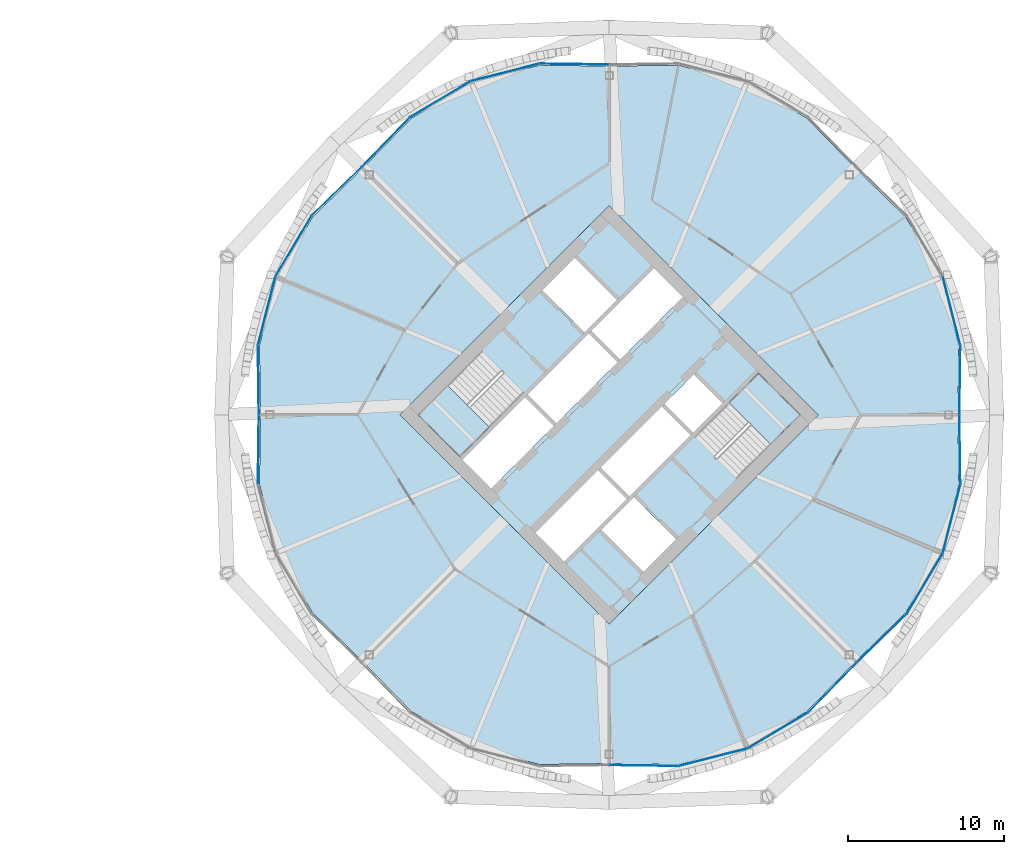
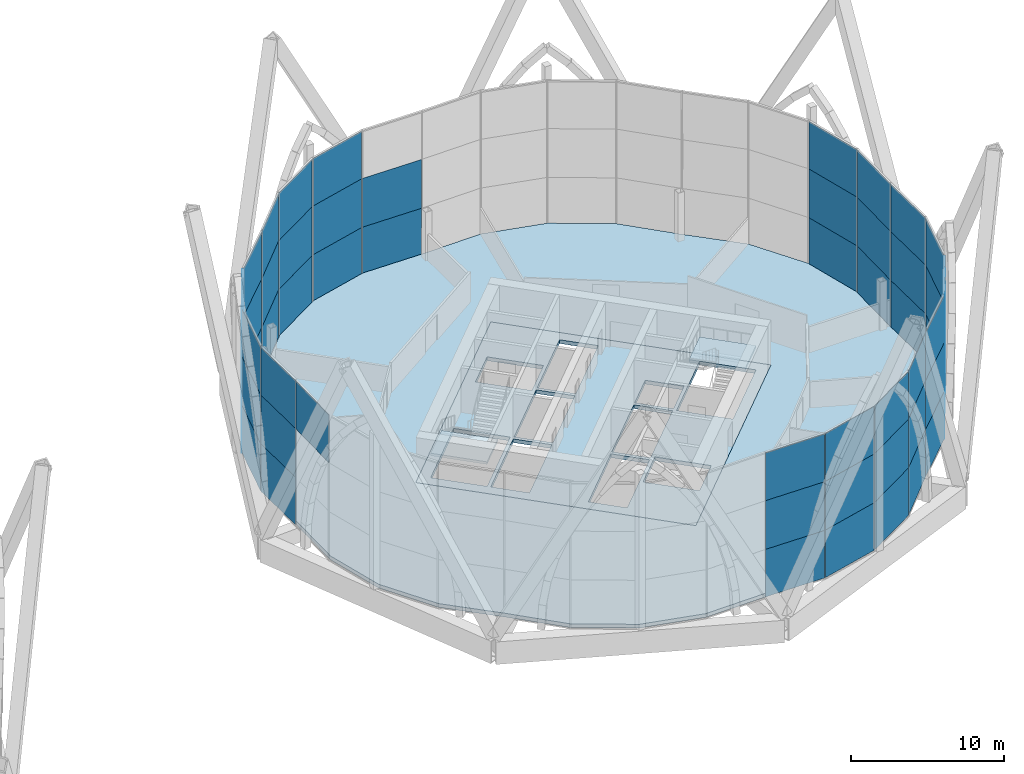
# One storey, part 26 of 37: 54 plates, 4 slabs, 8 elements without a shape of their own.
"""IFC4 building model written with IfcOpenShell, lengths in metres."""

from ifc_helpers import new_model, si_unit, direction, frame, origin, origin_2d, place, context, subcontext, project, spatial, polyline, rectangle, outline, extrude, material, layer, layer_set, type_object, element, aggregate, save


model = new_model("IFC4")

# Units and contexts
model_context = context("Model", 3, precision=1e-05, world=origin(), true_north=direction((0.0, 1.0)))
body_context = subcontext(model_context, "Body", "Model", "MODEL_VIEW")
ifc_project = project(units=[si_unit("LENGTHUNIT", "METRE"), si_unit("AREAUNIT", "SQUARE_METRE"), si_unit("VOLUMEUNIT", "CUBIC_METRE"), si_unit("PLANEANGLEUNIT", "RADIAN"), si_unit("MASSUNIT", "GRAM", prefix="KILO")], contexts=[model_context])

# Site, building, storey
site_placement = place(None, origin())
site = spatial("IfcSite", under=ifc_project, at=site_placement, CompositionType="ELEMENT")
building_placement = place(site_placement, origin())
building = spatial("IfcBuilding", under=site, at=building_placement, Name="Ogive Gate Towers", CompositionType="ELEMENT")
storey_placement = place(building_placement, frame((0.0, 0.0, 32.39990234375)))
storey = spatial("IfcBuildingStorey", under=building, at=storey_placement, Name="L06", CompositionType="ELEMENT", Elevation=32.39990234375)

# Slabs
ifc_material_1 = material(Name="Concrete C40/50", Category="concrete")
ifc_layer_1 = layer(ifc_material_1, 0.300048828125)
ifc_layer_set_1 = layer_set([ifc_layer_1], Name="Core slab C40/50 300 mm")
slab_type_1 = type_object("IfcSlabType", Name="Core slab C40/50 300 mm", PredefinedType="FLOOR", material=ifc_layer_set_1)
slab_1_placement = place(storey_placement, frame((0.0, 0.0, -0.2998046875)))
element("IfcSlab", 1, at=slab_1_placement, inside=storey, type_object=slab_type_1, Name="T2 L06 core slab", PredefinedType="FLOOR", context=body_context, shape_type="SweptSolid", body=[
    extrude(outline(polyline([(36.0, 13.43505859375), (49.43505859375, 0.0), (36.0, -13.43505859375), (22.56494140625, 0.0), (36.0, 13.43505859375)]), holes=[polyline([(30.590576171875, 1.13134765625), (26.577880859375, -2.881591796875), (28.43408203125, -4.737548828125), (32.44677734375, -0.724853515625), (30.590576171875, 1.13134765625)]), polyline([(36.548095703125, 3.37646484375), (34.69189453125, 5.232666015625), (30.767333984375, 1.30810546875), (32.62353515625, -0.548095703125), (36.548095703125, 3.37646484375)]), polyline([(36.724853515625, 3.55322265625), (40.737548828125, 7.56591796875), (38.881591796875, 9.422119140625), (34.86865234375, 5.409423828125), (36.724853515625, 3.55322265625)]), polyline([(31.262451171875, -7.56591796875), (33.118408203125, -9.422119140625), (37.13134765625, -5.409423828125), (35.275146484375, -3.55322265625), (31.262451171875, -7.56591796875)]), polyline([(39.37646484375, 0.548095703125), (35.451904296875, -3.37646484375), (37.30810546875, -5.232666015625), (41.232666015625, -1.30810546875), (39.37646484375, 0.548095703125)]), polyline([(43.283203125, 0.742431640625), (41.427001953125, 2.5986328125), (39.55322265625, 0.724853515625), (41.409423828125, -1.13134765625), (43.283203125, 0.742431640625)]), polyline([(34.408935546875, 5.30322265625), (36.4951171875, 7.389404296875), (33.790283203125, 10.093994140625), (31.704345703125, 8.008056640625), (34.408935546875, 5.30322265625)]), polyline([(35.5048828125, -7.389404296875), (38.209716796875, -10.093994140625), (40.295654296875, -8.008056640625), (37.591064453125, -5.30322265625), (35.5048828125, -7.389404296875)]), polyline([(26.40087890625, -2.70458984375), (30.512939453125, 1.406982421875), (27.80810546875, 4.11181640625), (23.6962890625, 0.0), (26.40087890625, -2.70458984375)]), polyline([(48.3037109375, 0.0), (45.59912109375, 2.70458984375), (41.487060546875, -1.406982421875), (44.19189453125, -4.11181640625), (48.3037109375, 0.0)])]), origin(), (0.0, 0.0, 1.0), 0.2998046875),
])
ifc_material_2 = material(Name="Concrete C35/45", Category="concrete")
ifc_layer_2 = layer(ifc_material_2, 0.300048828125)
ifc_layer_set_2 = layer_set([ifc_layer_2], Name="Floor slab 300")
slab_type_2 = type_object("IfcSlabType", Name="Floor slab 300", PredefinedType="FLOOR", material=ifc_layer_set_2)
slab_2_placement = place(storey_placement, frame((0.0, 0.0, -0.2998046875)))
element("IfcSlab", 2, at=slab_2_placement, inside=storey, type_object=slab_type_2, Name="T2/L06/SSL001", PredefinedType="FLOOR", context=body_context, shape_type="SweptSolid", body=[
    extrude(outline(polyline([(58.4697265625, -4.469482421875), (58.409912109375, 0.0), (58.4697265625, 4.469482421875), (57.350830078125, 8.84375), (55.049072265625, 12.72802734375), (51.84619140625, 15.84619140625), (48.72802734375, 19.049072265625), (44.84375, 21.350830078125), (40.469482421875, 22.4697265625), (36.0, 22.409912109375), (31.530517578125, 22.4697265625), (27.15625, 21.350830078125), (23.27197265625, 19.049072265625), (20.15380859375, 15.84619140625), (16.950927734375, 12.72802734375), (14.649169921875, 8.84375), (13.5302734375, 4.469482421875), (13.590087890625, 0.0), (13.5302734375, -4.469482421875), (14.649169921875, -8.84375), (16.950927734375, -12.72802734375), (20.15380859375, -15.84619140625), (23.27197265625, -19.049072265625), (27.15625, -21.350830078125), (31.530517578125, -22.4697265625), (36.0, -22.409912109375), (40.469482421875, -22.4697265625), (44.84375, -21.350830078125), (48.72802734375, -19.049072265625), (51.84619140625, -15.84619140625), (55.049072265625, -12.72802734375), (57.350830078125, -8.84375), (58.4697265625, -4.469482421875)]), holes=[polyline([(49.43505859375, 0.0), (36.0, -13.43505859375), (22.56494140625, 0.0), (36.0, 13.43505859375), (49.43505859375, 0.0)])]), origin(), (0.0, 0.0, 1.0), 0.2998046875),
])

# Stair, slab
stair_type = type_object("IfcStairType", Name="Escape stair 1840 wide", PredefinedType="HALF_TURN_STAIR", material=ifc_material_1)
stair_1_placement = place(storey_placement, origin())
stair_1 = element("IfcStair", 3, at=stair_1_placement, inside=storey, type_object=stair_type, Name="L06 Escape stair 1", PredefinedType="HALF_TURN_STAIR")
ifc_layer_3 = layer(ifc_material_1, 0.199951171875)
ifc_layer_set_3 = layer_set([ifc_layer_3], Name="Stair landing 200 mm")
slab_type_3 = type_object("IfcSlabType", Name="Stair landing 200 mm", PredefinedType="LANDING", material=ifc_layer_set_3)
slab_3_placement = place(storey_placement, frame((0.0, 0.0, 1.75)))
slab_3 = element("IfcSlab", 4, at=slab_3_placement, type_object=slab_type_3, Name="ST1 landing 1", PredefinedType="LANDING", context=body_context, shape_type="SweptSolid", body=[
    extrude(outline(polyline([(25.6044921875, 1.908203125), (23.6962890625, 0.0), (26.401123046875, -2.70458984375), (28.309326171875, -0.79638671875), (25.6044921875, 1.908203125)])), origin(), (0.0, 0.0, 1.0), 0.2001953125),
])
aggregate(stair_1, [slab_3])

stair_2_placement = place(storey_placement, origin())
stair_2 = element("IfcStair", 5, at=stair_2_placement, inside=storey, type_object=stair_type, Name="L06 Escape stair 2", PredefinedType="HALF_TURN_STAIR")
slab_4_placement = place(storey_placement, frame((0.0, 0.0, 1.75)))
slab_4 = element("IfcSlab", 6, at=slab_4_placement, type_object=slab_type_3, Name="ST2 landing 1", PredefinedType="LANDING", context=body_context, shape_type="SweptSolid", body=[
    extrude(outline(polyline([(46.3955078125, -1.908203125), (48.3037109375, 0.0), (45.598876953125, 2.70458984375), (43.690673828125, 0.79638671875), (46.3955078125, -1.908203125)])), origin(), (0.0, 0.0, 1.0), 0.2001953125),
])
aggregate(stair_2, [slab_4])

# Curtain wall, plates
ifc_material_3 = material(Name="Pale metal aluminium", Category="aluminium")
curtain_wall_type = type_object("IfcCurtainWallType", Name="Tower unitised wall, low zone", PredefinedType="NOTDEFINED", material=ifc_material_3)
curtain_wall_1_placement = place(storey_placement, origin())
curtain_wall_1 = element("IfcCurtainWall", 7, at=curtain_wall_1_placement, inside=storey, type_object=curtain_wall_type, Name="CW1 T2 ECW01", PredefinedType="NOTDEFINED")
ifc_material_4 = material(Name="Clear glass", Category="glass")
ifc_layer_4 = layer(ifc_material_4, 0.028076171875)
ifc_layer_set_4 = layer_set([ifc_layer_4], Name="Tower unitised wall, low zone glass panel")
plate_type = type_object("IfcPlateType", Name="Tower unitised wall, low zone glass panel", PredefinedType="CURTAIN_PANEL", material=ifc_layer_set_4)
plate_1_placement = place(storey_placement, frame((58.5400390625, 2.23876953125, -0.2041015625), z_axis=(0.0, 0.0, 1.0), x_axis=(0.013386275544, 0.999910399799, 0.0)))
plate_1 = element("IfcPlate", 8, at=plate_1_placement, type_object=plate_type, Name="CW1 glass panel", PredefinedType="CURTAIN_PANEL", context=body_context, shape_type="SweptSolid", body=[
    extrude(rectangle(XDim=4.423828125, YDim=0.028076171875, at=origin_2d()), origin(), (0.0, 0.0, 1.0), 3.803955078125),
])
plate_2_placement = place(storey_placement, frame((58.5400390625, 2.23876953125, 3.60009765625), z_axis=(0.0, 0.0, 1.0), x_axis=(0.013386275544, 0.999910399799, 0.0)))
plate_2 = element("IfcPlate", 9, at=plate_2_placement, type_object=plate_type, Name="CW1 glass panel", PredefinedType="CURTAIN_PANEL", context=body_context, shape_type="SweptSolid", body=[
    extrude(rectangle(XDim=4.423828125, YDim=0.028076171875, at=origin_2d()), origin(), (0.0, 0.0, 1.0), 3.89990234375),
])
plate_3_placement = place(storey_placement, frame((58.5400390625, 2.23876953125, 7.5), z_axis=(0.0, 0.0, 1.0), x_axis=(0.013386275544, 0.999910399799, 0.0)))
plate_3 = element("IfcPlate", 10, at=plate_3_placement, type_object=plate_type, Name="CW1 glass panel", PredefinedType="CURTAIN_PANEL", context=body_context, shape_type="SweptSolid", body=[
    extrude(rectangle(XDim=4.423828125, YDim=0.028076171875, at=origin_2d()), origin(), (0.0, 0.0, 1.0), 3.803955078125),
])
plate_4_placement = place(storey_placement, frame((58.007080078125, 6.681884765625, -0.2041015625), z_axis=(0.0, 0.0, 1.0), x_axis=(-0.247827635532, 0.968804140715, 0.0)))
plate_4 = element("IfcPlate", 11, at=plate_4_placement, type_object=plate_type, Name="CW1 glass panel", PredefinedType="CURTAIN_PANEL", context=body_context, shape_type="SweptSolid", body=[
    extrude(rectangle(XDim=4.48095703125, YDim=0.028076171875, at=origin_2d()), origin(), (0.0, 0.0, 1.0), 3.803955078125),
])
plate_5_placement = place(storey_placement, frame((58.007080078125, 6.681884765625, 3.60009765625), z_axis=(0.0, 0.0, 1.0), x_axis=(-0.247827635532, 0.968804140715, 0.0)))
plate_5 = element("IfcPlate", 12, at=plate_5_placement, type_object=plate_type, Name="CW1 glass panel", PredefinedType="CURTAIN_PANEL", context=body_context, shape_type="SweptSolid", body=[
    extrude(rectangle(XDim=4.48095703125, YDim=0.028076171875, at=origin_2d()), origin(), (0.0, 0.0, 1.0), 3.89990234375),
])
plate_6_placement = place(storey_placement, frame((58.007080078125, 6.681884765625, 7.5), z_axis=(0.0, 0.0, 1.0), x_axis=(-0.247827635532, 0.968804140715, 0.0)))
plate_6 = element("IfcPlate", 13, at=plate_6_placement, type_object=plate_type, Name="CW1 glass panel", PredefinedType="CURTAIN_PANEL", context=body_context, shape_type="SweptSolid", body=[
    extrude(rectangle(XDim=4.48095703125, YDim=0.028076171875, at=origin_2d()), origin(), (0.0, 0.0, 1.0), 3.803955078125),
])
aggregate(curtain_wall_1, [plate_1, plate_2, plate_3, plate_4, plate_5, plate_6])

curtain_wall_2_placement = place(storey_placement, origin())
curtain_wall_2 = element("IfcCurtainWall", 14, at=curtain_wall_2_placement, inside=storey, type_object=curtain_wall_type, Name="CW1 T2 ECW03", PredefinedType="NOTDEFINED")
plate_7_placement = place(storey_placement, frame((33.76123046875, 22.5400390625, -0.2041015625), z_axis=(0.0, 0.0, 1.0), x_axis=(-0.999910399799, 0.013386275544, 0.0)))
plate_7 = element("IfcPlate", 15, at=plate_7_placement, type_object=plate_type, Name="CW1 glass panel", PredefinedType="CURTAIN_PANEL", context=body_context, shape_type="SweptSolid", body=[
    extrude(rectangle(XDim=4.423828125, YDim=0.028076171875, at=origin_2d()), origin(), (0.0, 0.0, 1.0), 3.803955078125),
])
plate_8_placement = place(storey_placement, frame((33.76123046875, 22.5400390625, 3.60009765625), z_axis=(0.0, 0.0, 1.0), x_axis=(-0.999910399799, 0.013386275544, 0.0)))
plate_8 = element("IfcPlate", 16, at=plate_8_placement, type_object=plate_type, Name="CW1 glass panel", PredefinedType="CURTAIN_PANEL", context=body_context, shape_type="SweptSolid", body=[
    extrude(rectangle(XDim=4.423828125, YDim=0.028076171875, at=origin_2d()), origin(), (0.0, 0.0, 1.0), 3.89990234375),
])
plate_9_placement = place(storey_placement, frame((29.318115234375, 22.007080078125, -0.2041015625), z_axis=(0.0, 0.0, 1.0), x_axis=(-0.968804140715, -0.247827635532, 0.0)))
plate_9 = element("IfcPlate", 17, at=plate_9_placement, type_object=plate_type, Name="CW1 glass panel", PredefinedType="CURTAIN_PANEL", context=body_context, shape_type="SweptSolid", body=[
    extrude(rectangle(XDim=4.48095703125, YDim=0.028076171875, at=origin_2d()), origin(), (0.0, 0.0, 1.0), 3.803955078125),
])
plate_10_placement = place(storey_placement, frame((29.318115234375, 22.007080078125, 3.60009765625), z_axis=(0.0, 0.0, 1.0), x_axis=(-0.968804140715, -0.247827635532, 0.0)))
plate_10 = element("IfcPlate", 18, at=plate_10_placement, type_object=plate_type, Name="CW1 glass panel", PredefinedType="CURTAIN_PANEL", context=body_context, shape_type="SweptSolid", body=[
    extrude(rectangle(XDim=4.48095703125, YDim=0.028076171875, at=origin_2d()), origin(), (0.0, 0.0, 1.0), 3.89990234375),
])
plate_11_placement = place(storey_placement, frame((29.318115234375, 22.007080078125, 7.5), z_axis=(0.0, 0.0, 1.0), x_axis=(-0.968804140715, -0.247827635532, 0.0)))
plate_11 = element("IfcPlate", 19, at=plate_11_placement, type_object=plate_type, Name="CW1 glass panel", PredefinedType="CURTAIN_PANEL", context=body_context, shape_type="SweptSolid", body=[
    extrude(rectangle(XDim=4.48095703125, YDim=0.028076171875, at=origin_2d()), origin(), (0.0, 0.0, 1.0), 3.803955078125),
])
plate_12_placement = place(storey_placement, frame((25.163330078125, 20.2861328125, -0.2041015625), z_axis=(0.0, 0.0, 1.0), x_axis=(-0.860279681243, -0.509822390682, 0.0)))
plate_12 = element("IfcPlate", 20, at=plate_12_placement, type_object=plate_type, Name="CW1 glass panel", PredefinedType="CURTAIN_PANEL", context=body_context, shape_type="SweptSolid", body=[
    extrude(rectangle(XDim=4.48095703125, YDim=0.028076171875, at=origin_2d()), origin(), (0.0, 0.0, 1.0), 3.803955078125),
])
plate_13_placement = place(storey_placement, frame((25.163330078125, 20.2861328125, 3.60009765625), z_axis=(0.0, 0.0, 1.0), x_axis=(-0.860279681243, -0.509822390682, 0.0)))
plate_13 = element("IfcPlate", 21, at=plate_13_placement, type_object=plate_type, Name="CW1 glass panel", PredefinedType="CURTAIN_PANEL", context=body_context, shape_type="SweptSolid", body=[
    extrude(rectangle(XDim=4.48095703125, YDim=0.028076171875, at=origin_2d()), origin(), (0.0, 0.0, 1.0), 3.89990234375),
])
plate_14_placement = place(storey_placement, frame((25.163330078125, 20.2861328125, 7.5), z_axis=(0.0, 0.0, 1.0), x_axis=(-0.860279681243, -0.509822390682, 0.0)))
plate_14 = element("IfcPlate", 22, at=plate_14_placement, type_object=plate_type, Name="CW1 glass panel", PredefinedType="CURTAIN_PANEL", context=body_context, shape_type="SweptSolid", body=[
    extrude(rectangle(XDim=4.48095703125, YDim=0.028076171875, at=origin_2d()), origin(), (0.0, 0.0, 1.0), 3.803955078125),
])
plate_15_placement = place(storey_placement, frame((21.64501953125, 17.521240234375, -0.2041015625), z_axis=(0.0, 0.0, 1.0), x_axis=(-0.697590403399, -0.716496775349, 0.0)))
plate_15 = element("IfcPlate", 23, at=plate_15_placement, type_object=plate_type, Name="CW1 glass panel", PredefinedType="CURTAIN_PANEL", context=body_context, shape_type="SweptSolid", body=[
    extrude(rectangle(XDim=4.424072265625, YDim=0.028076171875, at=origin_2d()), origin(), (0.0, 0.0, 1.0), 3.803955078125),
])
plate_16_placement = place(storey_placement, frame((21.64501953125, 17.521240234375, 3.60009765625), z_axis=(0.0, 0.0, 1.0), x_axis=(-0.697590403399, -0.716496775349, 0.0)))
plate_16 = element("IfcPlate", 24, at=plate_16_placement, type_object=plate_type, Name="CW1 glass panel", PredefinedType="CURTAIN_PANEL", context=body_context, shape_type="SweptSolid", body=[
    extrude(rectangle(XDim=4.424072265625, YDim=0.028076171875, at=origin_2d()), origin(), (0.0, 0.0, 1.0), 3.89990234375),
])
plate_17_placement = place(storey_placement, frame((21.64501953125, 17.521240234375, 7.5), z_axis=(0.0, 0.0, 1.0), x_axis=(-0.697590403399, -0.716496775349, 0.0)))
plate_17 = element("IfcPlate", 25, at=plate_17_placement, type_object=plate_type, Name="CW1 glass panel", PredefinedType="CURTAIN_PANEL", context=body_context, shape_type="SweptSolid", body=[
    extrude(rectangle(XDim=4.424072265625, YDim=0.028076171875, at=origin_2d()), origin(), (0.0, 0.0, 1.0), 3.803955078125),
])
aggregate(curtain_wall_2, [plate_7, plate_8, plate_9, plate_10, plate_11, plate_12, plate_13, plate_14, plate_15, plate_16, plate_17])

curtain_wall_3_placement = place(storey_placement, origin())
curtain_wall_3 = element("IfcCurtainWall", 26, at=curtain_wall_3_placement, inside=storey, type_object=curtain_wall_type, Name="CW1 T2 ECW04", PredefinedType="NOTDEFINED")
plate_18_placement = place(storey_placement, frame((18.478759765625, 14.35498046875, -0.2041015625), z_axis=(0.0, 0.0, 1.0), x_axis=(-0.716496775349, -0.697590403399, 0.0)))
plate_18 = element("IfcPlate", 27, at=plate_18_placement, type_object=plate_type, Name="CW1 glass panel", PredefinedType="CURTAIN_PANEL", context=body_context, shape_type="SweptSolid", body=[
    extrude(rectangle(XDim=4.424072265625, YDim=0.028076171875, at=origin_2d()), origin(), (0.0, 0.0, 1.0), 3.803955078125),
])
plate_19_placement = place(storey_placement, frame((18.478759765625, 14.35498046875, 3.60009765625), z_axis=(0.0, 0.0, 1.0), x_axis=(-0.716496775349, -0.697590403399, 0.0)))
plate_19 = element("IfcPlate", 28, at=plate_19_placement, type_object=plate_type, Name="CW1 glass panel", PredefinedType="CURTAIN_PANEL", context=body_context, shape_type="SweptSolid", body=[
    extrude(rectangle(XDim=4.424072265625, YDim=0.028076171875, at=origin_2d()), origin(), (0.0, 0.0, 1.0), 3.89990234375),
])
plate_20_placement = place(storey_placement, frame((18.478759765625, 14.35498046875, 7.5), z_axis=(0.0, 0.0, 1.0), x_axis=(-0.716496775349, -0.697590403399, 0.0)))
plate_20 = element("IfcPlate", 29, at=plate_20_placement, type_object=plate_type, Name="CW1 glass panel", PredefinedType="CURTAIN_PANEL", context=body_context, shape_type="SweptSolid", body=[
    extrude(rectangle(XDim=4.424072265625, YDim=0.028076171875, at=origin_2d()), origin(), (0.0, 0.0, 1.0), 3.803955078125),
])
plate_21_placement = place(storey_placement, frame((15.7138671875, 10.836669921875, -0.2041015625), z_axis=(0.0, 0.0, 1.0), x_axis=(-0.509822390682, -0.860279681243, 0.0)))
plate_21 = element("IfcPlate", 30, at=plate_21_placement, type_object=plate_type, Name="CW1 glass panel", PredefinedType="CURTAIN_PANEL", context=body_context, shape_type="SweptSolid", body=[
    extrude(rectangle(XDim=4.48095703125, YDim=0.028076171875, at=origin_2d()), origin(), (0.0, 0.0, 1.0), 3.803955078125),
])
plate_22_placement = place(storey_placement, frame((15.7138671875, 10.836669921875, 3.60009765625), z_axis=(0.0, 0.0, 1.0), x_axis=(-0.509822390682, -0.860279681243, 0.0)))
plate_22 = element("IfcPlate", 31, at=plate_22_placement, type_object=plate_type, Name="CW1 glass panel", PredefinedType="CURTAIN_PANEL", context=body_context, shape_type="SweptSolid", body=[
    extrude(rectangle(XDim=4.48095703125, YDim=0.028076171875, at=origin_2d()), origin(), (0.0, 0.0, 1.0), 3.89990234375),
])
plate_23_placement = place(storey_placement, frame((15.7138671875, 10.836669921875, 7.5), z_axis=(0.0, 0.0, 1.0), x_axis=(-0.509822390682, -0.860279681243, 0.0)))
plate_23 = element("IfcPlate", 32, at=plate_23_placement, type_object=plate_type, Name="CW1 glass panel", PredefinedType="CURTAIN_PANEL", context=body_context, shape_type="SweptSolid", body=[
    extrude(rectangle(XDim=4.48095703125, YDim=0.028076171875, at=origin_2d()), origin(), (0.0, 0.0, 1.0), 3.803955078125),
])
plate_24_placement = place(storey_placement, frame((13.992919921875, 6.681884765625, -0.2041015625), z_axis=(0.0, 0.0, 1.0), x_axis=(-0.247827635532, -0.968804140715, 0.0)))
plate_24 = element("IfcPlate", 33, at=plate_24_placement, type_object=plate_type, Name="CW1 glass panel", PredefinedType="CURTAIN_PANEL", context=body_context, shape_type="SweptSolid", body=[
    extrude(rectangle(XDim=4.48095703125, YDim=0.028076171875, at=origin_2d()), origin(), (0.0, 0.0, 1.0), 3.803955078125),
])
plate_25_placement = place(storey_placement, frame((13.992919921875, 6.681884765625, 3.60009765625), z_axis=(0.0, 0.0, 1.0), x_axis=(-0.247827635532, -0.968804140715, 0.0)))
plate_25 = element("IfcPlate", 34, at=plate_25_placement, type_object=plate_type, Name="CW1 glass panel", PredefinedType="CURTAIN_PANEL", context=body_context, shape_type="SweptSolid", body=[
    extrude(rectangle(XDim=4.48095703125, YDim=0.028076171875, at=origin_2d()), origin(), (0.0, 0.0, 1.0), 3.89990234375),
])
plate_26_placement = place(storey_placement, frame((13.992919921875, 6.681884765625, 7.5), z_axis=(0.0, 0.0, 1.0), x_axis=(-0.247827635532, -0.968804140715, 0.0)))
plate_26 = element("IfcPlate", 35, at=plate_26_placement, type_object=plate_type, Name="CW1 glass panel", PredefinedType="CURTAIN_PANEL", context=body_context, shape_type="SweptSolid", body=[
    extrude(rectangle(XDim=4.48095703125, YDim=0.028076171875, at=origin_2d()), origin(), (0.0, 0.0, 1.0), 3.803955078125),
])
plate_27_placement = place(storey_placement, frame((13.4599609375, 2.23876953125, -0.2041015625), z_axis=(0.0, 0.0, 1.0), x_axis=(0.013386275544, -0.999910399799, 0.0)))
plate_27 = element("IfcPlate", 36, at=plate_27_placement, type_object=plate_type, Name="CW1 glass panel", PredefinedType="CURTAIN_PANEL", context=body_context, shape_type="SweptSolid", body=[
    extrude(rectangle(XDim=4.423828125, YDim=0.028076171875, at=origin_2d()), origin(), (0.0, 0.0, 1.0), 3.803955078125),
])
plate_28_placement = place(storey_placement, frame((13.4599609375, 2.23876953125, 3.60009765625), z_axis=(0.0, 0.0, 1.0), x_axis=(0.013386275544, -0.999910399799, 0.0)))
plate_28 = element("IfcPlate", 37, at=plate_28_placement, type_object=plate_type, Name="CW1 glass panel", PredefinedType="CURTAIN_PANEL", context=body_context, shape_type="SweptSolid", body=[
    extrude(rectangle(XDim=4.423828125, YDim=0.028076171875, at=origin_2d()), origin(), (0.0, 0.0, 1.0), 3.89990234375),
])
plate_29_placement = place(storey_placement, frame((13.4599609375, 2.23876953125, 7.5), z_axis=(0.0, 0.0, 1.0), x_axis=(0.013386275544, -0.999910399799, 0.0)))
plate_29 = element("IfcPlate", 38, at=plate_29_placement, type_object=plate_type, Name="CW1 glass panel", PredefinedType="CURTAIN_PANEL", context=body_context, shape_type="SweptSolid", body=[
    extrude(rectangle(XDim=4.423828125, YDim=0.028076171875, at=origin_2d()), origin(), (0.0, 0.0, 1.0), 3.803955078125),
])
aggregate(curtain_wall_3, [plate_18, plate_19, plate_20, plate_21, plate_22, plate_23, plate_24, plate_25, plate_26, plate_27, plate_28, plate_29])

# Curtain wall, plate
curtain_wall_4_placement = place(storey_placement, origin())
curtain_wall_4 = element("IfcCurtainWall", 39, at=curtain_wall_4_placement, inside=storey, type_object=curtain_wall_type, Name="CW1 T2 ECW05", PredefinedType="NOTDEFINED")
plate_30_placement = place(storey_placement, frame((13.4599609375, -2.23876953125, 7.5), z_axis=(0.0, 0.0, 1.0), x_axis=(-0.013386275544, -0.999910399799, 0.0)))
plate_30 = element("IfcPlate", 40, at=plate_30_placement, type_object=plate_type, Name="CW1 glass panel", PredefinedType="CURTAIN_PANEL", context=body_context, shape_type="SweptSolid", body=[
    extrude(rectangle(XDim=4.423828125, YDim=0.028076171875, at=origin_2d()), origin(), (0.0, 0.0, 1.0), 3.803955078125),
])
aggregate(curtain_wall_4, [plate_30])

# Curtain wall, plates
curtain_wall_5_placement = place(storey_placement, origin())
curtain_wall_5 = element("IfcCurtainWall", 41, at=curtain_wall_5_placement, inside=storey, type_object=curtain_wall_type, Name="CW1 T2 ECW07", PredefinedType="NOTDEFINED")
plate_31_placement = place(storey_placement, frame((38.23876953125, -22.5400390625, -0.2041015625), z_axis=(0.0, 0.0, 1.0), x_axis=(0.999910399799, -0.013386275544, 0.0)))
plate_31 = element("IfcPlate", 42, at=plate_31_placement, type_object=plate_type, Name="CW1 glass panel", PredefinedType="CURTAIN_PANEL", context=body_context, shape_type="SweptSolid", body=[
    extrude(rectangle(XDim=4.423828125, YDim=0.028076171875, at=origin_2d()), origin(), (0.0, 0.0, 1.0), 3.803955078125),
])
plate_32_placement = place(storey_placement, frame((38.23876953125, -22.5400390625, 3.60009765625), z_axis=(0.0, 0.0, 1.0), x_axis=(0.999910399799, -0.013386275544, 0.0)))
plate_32 = element("IfcPlate", 43, at=plate_32_placement, type_object=plate_type, Name="CW1 glass panel", PredefinedType="CURTAIN_PANEL", context=body_context, shape_type="SweptSolid", body=[
    extrude(rectangle(XDim=4.423828125, YDim=0.028076171875, at=origin_2d()), origin(), (0.0, 0.0, 1.0), 3.89990234375),
])
plate_33_placement = place(storey_placement, frame((38.23876953125, -22.5400390625, 7.5), z_axis=(0.0, 0.0, 1.0), x_axis=(0.999910399799, -0.013386275544, 0.0)))
plate_33 = element("IfcPlate", 44, at=plate_33_placement, type_object=plate_type, Name="CW1 glass panel", PredefinedType="CURTAIN_PANEL", context=body_context, shape_type="SweptSolid", body=[
    extrude(rectangle(XDim=4.423828125, YDim=0.028076171875, at=origin_2d()), origin(), (0.0, 0.0, 1.0), 3.803955078125),
])
plate_34_placement = place(storey_placement, frame((42.681884765625, -22.007080078125, -0.2041015625), z_axis=(0.0, 0.0, 1.0), x_axis=(0.968804140715, 0.247827635532, 0.0)))
plate_34 = element("IfcPlate", 45, at=plate_34_placement, type_object=plate_type, Name="CW1 glass panel", PredefinedType="CURTAIN_PANEL", context=body_context, shape_type="SweptSolid", body=[
    extrude(rectangle(XDim=4.48095703125, YDim=0.028076171875, at=origin_2d()), origin(), (0.0, 0.0, 1.0), 3.803955078125),
])
plate_35_placement = place(storey_placement, frame((42.681884765625, -22.007080078125, 3.60009765625), z_axis=(0.0, 0.0, 1.0), x_axis=(0.968804140715, 0.247827635532, 0.0)))
plate_35 = element("IfcPlate", 46, at=plate_35_placement, type_object=plate_type, Name="CW1 glass panel", PredefinedType="CURTAIN_PANEL", context=body_context, shape_type="SweptSolid", body=[
    extrude(rectangle(XDim=4.48095703125, YDim=0.028076171875, at=origin_2d()), origin(), (0.0, 0.0, 1.0), 3.89990234375),
])
plate_36_placement = place(storey_placement, frame((42.681884765625, -22.007080078125, 7.5), z_axis=(0.0, 0.0, 1.0), x_axis=(0.968804140715, 0.247827635532, 0.0)))
plate_36 = element("IfcPlate", 47, at=plate_36_placement, type_object=plate_type, Name="CW1 glass panel", PredefinedType="CURTAIN_PANEL", context=body_context, shape_type="SweptSolid", body=[
    extrude(rectangle(XDim=4.48095703125, YDim=0.028076171875, at=origin_2d()), origin(), (0.0, 0.0, 1.0), 3.803955078125),
])
plate_37_placement = place(storey_placement, frame((46.836669921875, -20.2861328125, -0.2041015625), z_axis=(0.0, 0.0, 1.0), x_axis=(0.860279681243, 0.509822390682, 0.0)))
plate_37 = element("IfcPlate", 48, at=plate_37_placement, type_object=plate_type, Name="CW1 glass panel", PredefinedType="CURTAIN_PANEL", context=body_context, shape_type="SweptSolid", body=[
    extrude(rectangle(XDim=4.48095703125, YDim=0.028076171875, at=origin_2d()), origin(), (0.0, 0.0, 1.0), 3.803955078125),
])
plate_38_placement = place(storey_placement, frame((46.836669921875, -20.2861328125, 3.60009765625), z_axis=(0.0, 0.0, 1.0), x_axis=(0.860279681243, 0.509822390682, 0.0)))
plate_38 = element("IfcPlate", 49, at=plate_38_placement, type_object=plate_type, Name="CW1 glass panel", PredefinedType="CURTAIN_PANEL", context=body_context, shape_type="SweptSolid", body=[
    extrude(rectangle(XDim=4.48095703125, YDim=0.028076171875, at=origin_2d()), origin(), (0.0, 0.0, 1.0), 3.89990234375),
])
plate_39_placement = place(storey_placement, frame((46.836669921875, -20.2861328125, 7.5), z_axis=(0.0, 0.0, 1.0), x_axis=(0.860279681243, 0.509822390682, 0.0)))
plate_39 = element("IfcPlate", 50, at=plate_39_placement, type_object=plate_type, Name="CW1 glass panel", PredefinedType="CURTAIN_PANEL", context=body_context, shape_type="SweptSolid", body=[
    extrude(rectangle(XDim=4.48095703125, YDim=0.028076171875, at=origin_2d()), origin(), (0.0, 0.0, 1.0), 3.803955078125),
])
plate_40_placement = place(storey_placement, frame((50.35498046875, -17.521240234375, -0.2041015625), z_axis=(0.0, 0.0, 1.0), x_axis=(0.697590403399, 0.716496775349, 0.0)))
plate_40 = element("IfcPlate", 51, at=plate_40_placement, type_object=plate_type, Name="CW1 glass panel", PredefinedType="CURTAIN_PANEL", context=body_context, shape_type="SweptSolid", body=[
    extrude(rectangle(XDim=4.424072265625, YDim=0.028076171875, at=origin_2d()), origin(), (0.0, 0.0, 1.0), 3.803955078125),
])
plate_41_placement = place(storey_placement, frame((50.35498046875, -17.521240234375, 3.60009765625), z_axis=(0.0, 0.0, 1.0), x_axis=(0.697590403399, 0.716496775349, 0.0)))
plate_41 = element("IfcPlate", 52, at=plate_41_placement, type_object=plate_type, Name="CW1 glass panel", PredefinedType="CURTAIN_PANEL", context=body_context, shape_type="SweptSolid", body=[
    extrude(rectangle(XDim=4.424072265625, YDim=0.028076171875, at=origin_2d()), origin(), (0.0, 0.0, 1.0), 3.89990234375),
])
plate_42_placement = place(storey_placement, frame((50.35498046875, -17.521240234375, 7.5), z_axis=(0.0, 0.0, 1.0), x_axis=(0.697590403399, 0.716496775349, 0.0)))
plate_42 = element("IfcPlate", 53, at=plate_42_placement, type_object=plate_type, Name="CW1 glass panel", PredefinedType="CURTAIN_PANEL", context=body_context, shape_type="SweptSolid", body=[
    extrude(rectangle(XDim=4.424072265625, YDim=0.028076171875, at=origin_2d()), origin(), (0.0, 0.0, 1.0), 3.803955078125),
])
aggregate(curtain_wall_5, [plate_31, plate_32, plate_33, plate_34, plate_35, plate_36, plate_37, plate_38, plate_39, plate_40, plate_41, plate_42])

curtain_wall_6_placement = place(storey_placement, origin())
curtain_wall_6 = element("IfcCurtainWall", 54, at=curtain_wall_6_placement, inside=storey, type_object=curtain_wall_type, Name="CW1 T2 ECW08", PredefinedType="NOTDEFINED")
plate_43_placement = place(storey_placement, frame((53.521240234375, -14.35498046875, -0.2041015625), z_axis=(0.0, 0.0, 1.0), x_axis=(0.716496775349, 0.697590403399, 0.0)))
plate_43 = element("IfcPlate", 55, at=plate_43_placement, type_object=plate_type, Name="CW1 glass panel", PredefinedType="CURTAIN_PANEL", context=body_context, shape_type="SweptSolid", body=[
    extrude(rectangle(XDim=4.424072265625, YDim=0.028076171875, at=origin_2d()), origin(), (0.0, 0.0, 1.0), 3.803955078125),
])
plate_44_placement = place(storey_placement, frame((53.521240234375, -14.35498046875, 3.60009765625), z_axis=(0.0, 0.0, 1.0), x_axis=(0.716496775349, 0.697590403399, 0.0)))
plate_44 = element("IfcPlate", 56, at=plate_44_placement, type_object=plate_type, Name="CW1 glass panel", PredefinedType="CURTAIN_PANEL", context=body_context, shape_type="SweptSolid", body=[
    extrude(rectangle(XDim=4.424072265625, YDim=0.028076171875, at=origin_2d()), origin(), (0.0, 0.0, 1.0), 3.89990234375),
])
plate_45_placement = place(storey_placement, frame((53.521240234375, -14.35498046875, 7.5), z_axis=(0.0, 0.0, 1.0), x_axis=(0.716496775349, 0.697590403399, 0.0)))
plate_45 = element("IfcPlate", 57, at=plate_45_placement, type_object=plate_type, Name="CW1 glass panel", PredefinedType="CURTAIN_PANEL", context=body_context, shape_type="SweptSolid", body=[
    extrude(rectangle(XDim=4.424072265625, YDim=0.028076171875, at=origin_2d()), origin(), (0.0, 0.0, 1.0), 3.803955078125),
])
plate_46_placement = place(storey_placement, frame((56.2861328125, -10.836669921875, -0.2041015625), z_axis=(0.0, 0.0, 1.0), x_axis=(0.509822390682, 0.860279681243, 0.0)))
plate_46 = element("IfcPlate", 58, at=plate_46_placement, type_object=plate_type, Name="CW1 glass panel", PredefinedType="CURTAIN_PANEL", context=body_context, shape_type="SweptSolid", body=[
    extrude(rectangle(XDim=4.48095703125, YDim=0.028076171875, at=origin_2d()), origin(), (0.0, 0.0, 1.0), 3.803955078125),
])
plate_47_placement = place(storey_placement, frame((56.2861328125, -10.836669921875, 3.60009765625), z_axis=(0.0, 0.0, 1.0), x_axis=(0.509822390682, 0.860279681243, 0.0)))
plate_47 = element("IfcPlate", 59, at=plate_47_placement, type_object=plate_type, Name="CW1 glass panel", PredefinedType="CURTAIN_PANEL", context=body_context, shape_type="SweptSolid", body=[
    extrude(rectangle(XDim=4.48095703125, YDim=0.028076171875, at=origin_2d()), origin(), (0.0, 0.0, 1.0), 3.89990234375),
])
plate_48_placement = place(storey_placement, frame((56.2861328125, -10.836669921875, 7.5), z_axis=(0.0, 0.0, 1.0), x_axis=(0.509822390682, 0.860279681243, 0.0)))
plate_48 = element("IfcPlate", 60, at=plate_48_placement, type_object=plate_type, Name="CW1 glass panel", PredefinedType="CURTAIN_PANEL", context=body_context, shape_type="SweptSolid", body=[
    extrude(rectangle(XDim=4.48095703125, YDim=0.028076171875, at=origin_2d()), origin(), (0.0, 0.0, 1.0), 3.803955078125),
])
plate_49_placement = place(storey_placement, frame((58.007080078125, -6.681884765625, -0.2041015625), z_axis=(0.0, 0.0, 1.0), x_axis=(0.247827635532, 0.968804140715, 0.0)))
plate_49 = element("IfcPlate", 61, at=plate_49_placement, type_object=plate_type, Name="CW1 glass panel", PredefinedType="CURTAIN_PANEL", context=body_context, shape_type="SweptSolid", body=[
    extrude(rectangle(XDim=4.48095703125, YDim=0.028076171875, at=origin_2d()), origin(), (0.0, 0.0, 1.0), 3.803955078125),
])
plate_50_placement = place(storey_placement, frame((58.007080078125, -6.681884765625, 3.60009765625), z_axis=(0.0, 0.0, 1.0), x_axis=(0.247827635532, 0.968804140715, 0.0)))
plate_50 = element("IfcPlate", 62, at=plate_50_placement, type_object=plate_type, Name="CW1 glass panel", PredefinedType="CURTAIN_PANEL", context=body_context, shape_type="SweptSolid", body=[
    extrude(rectangle(XDim=4.48095703125, YDim=0.028076171875, at=origin_2d()), origin(), (0.0, 0.0, 1.0), 3.89990234375),
])
plate_51_placement = place(storey_placement, frame((58.007080078125, -6.681884765625, 7.5), z_axis=(0.0, 0.0, 1.0), x_axis=(0.247827635532, 0.968804140715, 0.0)))
plate_51 = element("IfcPlate", 63, at=plate_51_placement, type_object=plate_type, Name="CW1 glass panel", PredefinedType="CURTAIN_PANEL", context=body_context, shape_type="SweptSolid", body=[
    extrude(rectangle(XDim=4.48095703125, YDim=0.028076171875, at=origin_2d()), origin(), (0.0, 0.0, 1.0), 3.803955078125),
])
plate_52_placement = place(storey_placement, frame((58.5400390625, -2.23876953125, -0.2041015625), z_axis=(0.0, 0.0, 1.0), x_axis=(-0.013386275544, 0.999910399799, 0.0)))
plate_52 = element("IfcPlate", 64, at=plate_52_placement, type_object=plate_type, Name="CW1 glass panel", PredefinedType="CURTAIN_PANEL", context=body_context, shape_type="SweptSolid", body=[
    extrude(rectangle(XDim=4.423828125, YDim=0.028076171875, at=origin_2d()), origin(), (0.0, 0.0, 1.0), 3.803955078125),
])
plate_53_placement = place(storey_placement, frame((58.5400390625, -2.23876953125, 3.60009765625), z_axis=(0.0, 0.0, 1.0), x_axis=(-0.013386275544, 0.999910399799, 0.0)))
plate_53 = element("IfcPlate", 65, at=plate_53_placement, type_object=plate_type, Name="CW1 glass panel", PredefinedType="CURTAIN_PANEL", context=body_context, shape_type="SweptSolid", body=[
    extrude(rectangle(XDim=4.423828125, YDim=0.028076171875, at=origin_2d()), origin(), (0.0, 0.0, 1.0), 3.89990234375),
])
plate_54_placement = place(storey_placement, frame((58.5400390625, -2.23876953125, 7.5), z_axis=(0.0, 0.0, 1.0), x_axis=(-0.013386275544, 0.999910399799, 0.0)))
plate_54 = element("IfcPlate", 66, at=plate_54_placement, type_object=plate_type, Name="CW1 glass panel", PredefinedType="CURTAIN_PANEL", context=body_context, shape_type="SweptSolid", body=[
    extrude(rectangle(XDim=4.423828125, YDim=0.028076171875, at=origin_2d()), origin(), (0.0, 0.0, 1.0), 3.803955078125),
])
aggregate(curtain_wall_6, [plate_43, plate_44, plate_45, plate_46, plate_47, plate_48, plate_49, plate_50, plate_51, plate_52, plate_53, plate_54])

save(model, "model.ifc")
